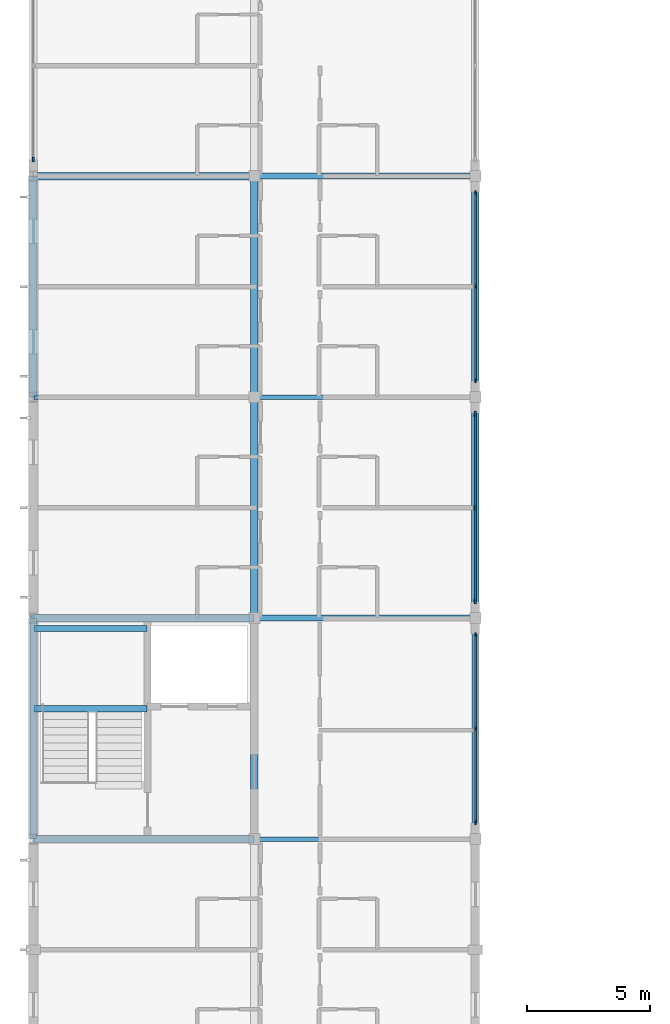
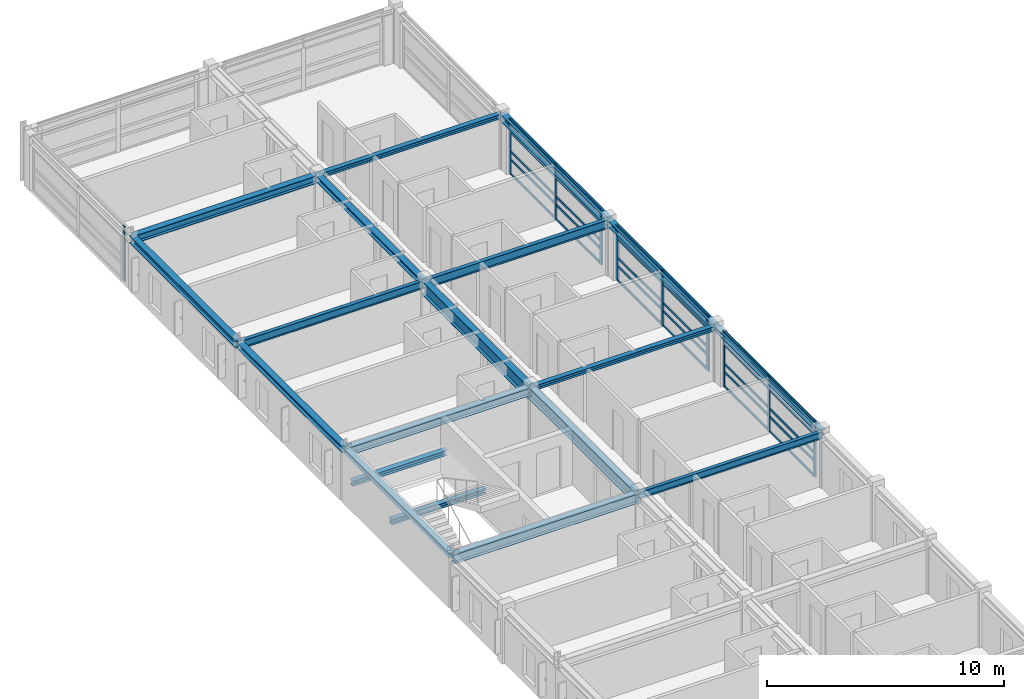
# One storey, part 6 of 24: 40 members, 19 beams, 4 elements without a shape of their own.
"""IFC4 building model written with IfcOpenShell, lengths in metres."""

from ifc_helpers import new_model, si_unit, direction, frame, origin, origin_2d, place, context, subcontext, project, spatial, rectangle, i_section, extrude, material, material_profile, profile_set, type_object, element, aggregate, save


model = new_model("IFC4")

# Units and contexts
model_context = context("Model", 3, precision=1e-05, world=origin(), true_north=direction((0.0, 1.0)))
body_context = subcontext(model_context, "Body", "Model", "MODEL_VIEW")
ifc_project = project(units=[si_unit("LENGTHUNIT", "METRE"), si_unit("AREAUNIT", "SQUARE_METRE"), si_unit("VOLUMEUNIT", "CUBIC_METRE"), si_unit("PLANEANGLEUNIT", "RADIAN"), si_unit("MASSUNIT", "GRAM", prefix="KILO")], contexts=[model_context])

# Site, building, storey
site_placement = place(None, origin())
site = spatial("IfcSite", under=ifc_project, at=site_placement, CompositionType="ELEMENT")
building_placement = place(site_placement, origin())
building = spatial("IfcBuilding", under=site, at=building_placement, Name="Palais des Congres Ocreval", CompositionType="ELEMENT")
storey_placement = place(building_placement, frame((0.0, 0.0, 17.60009765625)))
storey = spatial("IfcBuildingStorey", under=building, at=storey_placement, Name="L05", CompositionType="ELEMENT", Elevation=17.60009765625)

# Beams
ifc_material_1 = material(Name="Steel S355", Category="steel")
ifc_material_profile_1 = material_profile(ifc_material_1, i_section(OverallWidth=0.169921875, OverallDepth=0.360107421875, WebThickness=0.008056640625, FlangeThickness=0.0126953125, at=origin_2d()), Name="IPE 360")
ifc_profile_set_1 = profile_set([ifc_material_profile_1], Name="Steel S355")
beam_type_1 = type_object("IfcBeamType", Name="Composite Beam IPE 360 Steel S355", PredefinedType="BEAM", material=ifc_profile_set_1)
beam_1_placement = place(storey_placement, frame((9.02001953125, 36.0, 2.599853515625), z_axis=(1.0, 0.0, 0.0), x_axis=(0.0, 1.0, 0.0)))
element("IfcBeam", 1, at=beam_1_placement, inside=storey, type_object=beam_type_1, Name="Beam B01 L05", PredefinedType="BEAM", context=body_context, shape_type="SweptSolid", body=[
    extrude(i_section(OverallWidth=0.169921875, OverallDepth=0.360107421875, WebThickness=0.008056640625, FlangeThickness=0.0126953125, at=origin_2d()), origin(), (0.0, 0.0, 1.0), 8.9599609375),
])
ifc_material_profile_2 = material_profile(ifc_material_1, i_section(OverallWidth=0.179931640625, OverallDepth=0.39990234375, WebThickness=0.008544921875, FlangeThickness=0.013427734375, at=origin_2d()), Name="IPE 400")
ifc_profile_set_2 = profile_set([ifc_material_profile_2], Name="Steel S355")
beam_type_2 = type_object("IfcBeamType", Name="Composite Beam IPE 400 Steel S355", PredefinedType="BEAM", material=ifc_profile_set_2)
beam_2_placement = place(storey_placement, frame((0.02001953125, 54.0, 2.579833984375), z_axis=(1.0, 0.0, 0.0), x_axis=(0.0, 1.0, 0.0)))
element("IfcBeam", 2, at=beam_2_placement, inside=storey, type_object=beam_type_2, Name="Beam B02 L05", PredefinedType="BEAM", context=body_context, shape_type="SweptSolid", body=[
    extrude(i_section(OverallWidth=0.179931640625, OverallDepth=0.39990234375, WebThickness=0.008544921875, FlangeThickness=0.013427734375, at=origin_2d()), origin(), (0.0, 0.0, 1.0), 8.9599609375),
])
ifc_material_profile_3 = material_profile(ifc_material_1, i_section(OverallWidth=0.18994140625, OverallDepth=0.449951171875, WebThickness=0.009521484375, FlangeThickness=0.0146484375, at=origin_2d()), Name="IPE 450")
ifc_profile_set_3 = profile_set([ifc_material_profile_3], Name="Steel S355")
beam_type_3 = type_object("IfcBeamType", Name="Composite Beam IPE 450 Steel S355", PredefinedType="BEAM", material=ifc_profile_set_3)
beam_3_placement = place(storey_placement, frame((9.02001953125, 54.0, 2.554931640625), z_axis=(1.0, 0.0, 0.0), x_axis=(0.0, 1.0, 0.0)))
element("IfcBeam", 3, at=beam_3_placement, inside=storey, type_object=beam_type_3, Name="Beam B03 L05", PredefinedType="BEAM", context=body_context, shape_type="SweptSolid", body=[
    extrude(i_section(OverallWidth=0.18994140625, OverallDepth=0.449951171875, WebThickness=0.009521484375, FlangeThickness=0.0146484375, at=origin_2d()), origin(), (0.0, 0.0, 1.0), 8.9599609375),
])

# Curtain wall, member
ifc_material_2 = material(Name="Anodized bronze aluminium and low-E glass", Category="glass")
curtain_wall_type = type_object("IfcCurtainWallType", Name="Unitised Curtain Wall 7900x2820", PredefinedType="USERDEFINED", material=ifc_material_2)
curtain_wall_1_placement = place(storey_placement, origin())
curtain_wall_1 = element("IfcCurtainWall", 4, at=curtain_wall_1_placement, inside=storey, type_object=curtain_wall_type, Name="Unitised Curtain Wall CW04 L05", ObjectType="UNITISED CURTAIN WALL", PredefinedType="USERDEFINED")
ifc_material_3 = material(Name="Anodized bronze aluminium", Category="aluminium")
ifc_material_profile_4 = material_profile(ifc_material_3, rectangle(XDim=0.06494140625, YDim=0.179931640625, at=origin_2d()), Name="ALU 65x180")
ifc_profile_set_4 = profile_set([ifc_material_profile_4], Name="Anodized bronze aluminium")
member_type_1 = type_object("IfcMemberType", Name="Curtain Wall Mullion ALU 65x180", PredefinedType="MULLION", material=ifc_profile_set_4)
member_1_placement = place(storey_placement, frame((0.0, 63.6826171875, 0.0), z_axis=(0.0, 0.0, 1.0), x_axis=(-1.0, 0.0, 0.0)))
member_1 = element("IfcMember", 5, at=member_1_placement, type_object=member_type_1, Name="Curtain Wall Mullion ML03", PredefinedType="MULLION", context=body_context, shape_type="SweptSolid", body=[
    extrude(rectangle(XDim=0.06494140625, YDim=0.179931640625, at=origin_2d()), origin(), (0.0, 0.0, 1.0), 2.81982421875),
])
aggregate(curtain_wall_1, [member_1])

# Curtain wall, members
curtain_wall_2_placement = place(storey_placement, origin())
curtain_wall_2 = element("IfcCurtainWall", 6, at=curtain_wall_2_placement, inside=storey, type_object=curtain_wall_type, Name="Unitised Curtain Wall CW04 L05", ObjectType="UNITISED CURTAIN WALL", PredefinedType="USERDEFINED")
member_2_placement = place(storey_placement, frame((18.0, 62.3173828125, 0.0), z_axis=(0.0, 0.0, 1.0), x_axis=(1.0, 0.0, 0.0)))
member_2 = element("IfcMember", 7, at=member_2_placement, type_object=member_type_1, Name="Curtain Wall Mullion ML03", PredefinedType="MULLION", context=body_context, shape_type="SweptSolid", body=[
    extrude(rectangle(XDim=0.06494140625, YDim=0.179931640625, at=origin_2d()), origin(), (0.0, 0.0, 1.0), 2.81982421875),
])
member_3_placement = place(storey_placement, frame((18.0, 58.5, 0.0), z_axis=(0.0, 0.0, 1.0), x_axis=(1.0, 0.0, 0.0)))
member_3 = element("IfcMember", 8, at=member_3_placement, type_object=member_type_1, Name="Curtain Wall Mullion ML03", PredefinedType="MULLION", context=body_context, shape_type="SweptSolid", body=[
    extrude(rectangle(XDim=0.06494140625, YDim=0.179931640625, at=origin_2d()), origin(), (0.0, 0.0, 1.0), 2.81982421875),
])
member_4_placement = place(storey_placement, frame((18.0, 54.6826171875, 0.0), z_axis=(0.0, 0.0, 1.0), x_axis=(1.0, 0.0, 0.0)))
member_4 = element("IfcMember", 9, at=member_4_placement, type_object=member_type_1, Name="Curtain Wall Mullion ML03", PredefinedType="MULLION", context=body_context, shape_type="SweptSolid", body=[
    extrude(rectangle(XDim=0.06494140625, YDim=0.179931640625, at=origin_2d()), origin(), (0.0, 0.0, 1.0), 2.81982421875),
])

curtain_wall_3_placement = place(storey_placement, origin())
curtain_wall_3 = element("IfcCurtainWall", 10, at=curtain_wall_3_placement, inside=storey, type_object=curtain_wall_type, Name="Unitised Curtain Wall CW04 L05", ObjectType="UNITISED CURTAIN WALL", PredefinedType="USERDEFINED")
member_5_placement = place(storey_placement, frame((18.0, 44.3173828125, 0.0), z_axis=(0.0, 0.0, 1.0), x_axis=(1.0, 0.0, 0.0)))
member_5 = element("IfcMember", 11, at=member_5_placement, type_object=member_type_1, Name="Curtain Wall Mullion ML03", PredefinedType="MULLION", context=body_context, shape_type="SweptSolid", body=[
    extrude(rectangle(XDim=0.06494140625, YDim=0.179931640625, at=origin_2d()), origin(), (0.0, 0.0, 1.0), 2.81982421875),
])
member_6_placement = place(storey_placement, frame((18.0, 40.5, 0.0), z_axis=(0.0, 0.0, 1.0), x_axis=(1.0, 0.0, 0.0)))
member_6 = element("IfcMember", 12, at=member_6_placement, type_object=member_type_1, Name="Curtain Wall Mullion ML03", PredefinedType="MULLION", context=body_context, shape_type="SweptSolid", body=[
    extrude(rectangle(XDim=0.06494140625, YDim=0.179931640625, at=origin_2d()), origin(), (0.0, 0.0, 1.0), 2.81982421875),
])
member_7_placement = place(storey_placement, frame((18.0, 36.6826171875, 0.0), z_axis=(0.0, 0.0, 1.0), x_axis=(1.0, 0.0, 0.0)))
member_7 = element("IfcMember", 13, at=member_7_placement, type_object=member_type_1, Name="Curtain Wall Mullion ML03", PredefinedType="MULLION", context=body_context, shape_type="SweptSolid", body=[
    extrude(rectangle(XDim=0.06494140625, YDim=0.179931640625, at=origin_2d()), origin(), (0.0, 0.0, 1.0), 2.81982421875),
])

curtain_wall_4_placement = place(storey_placement, origin())
curtain_wall_4 = element("IfcCurtainWall", 14, at=curtain_wall_4_placement, inside=storey, type_object=curtain_wall_type, Name="Unitised Curtain Wall CW04 L05", ObjectType="UNITISED CURTAIN WALL", PredefinedType="USERDEFINED")
ifc_material_profile_5 = material_profile(ifc_material_3, rectangle(XDim=0.070068359375, YDim=0.2099609375, at=origin_2d()), Name="ALU 70x210")
ifc_profile_set_5 = profile_set([ifc_material_profile_5], Name="Anodized bronze aluminium")
member_type_2 = type_object("IfcMemberType", Name="Curtain Wall Mullion ALU 70x210", PredefinedType="MULLION", material=ifc_profile_set_5)
member_8_placement = place(storey_placement, frame((18.0, 53.31494140625, 0.0), z_axis=(0.0, 0.0, 1.0), x_axis=(1.0, 0.0, 0.0)))
member_8 = element("IfcMember", 15, at=member_8_placement, type_object=member_type_2, Name="Curtain Wall Mullion ML02", PredefinedType="MULLION", context=body_context, shape_type="SweptSolid", body=[
    extrude(rectangle(XDim=0.070068359375, YDim=0.2099609375, at=origin_2d()), origin(), (0.0, 0.0, 1.0), 2.81982421875),
])
member_9_placement = place(storey_placement, frame((18.0, 49.5, 0.0), z_axis=(0.0, 0.0, 1.0), x_axis=(1.0, 0.0, 0.0)))
member_9 = element("IfcMember", 16, at=member_9_placement, type_object=member_type_2, Name="Curtain Wall Mullion ML02", PredefinedType="MULLION", context=body_context, shape_type="SweptSolid", body=[
    extrude(rectangle(XDim=0.070068359375, YDim=0.2099609375, at=origin_2d()), origin(), (0.0, 0.0, 1.0), 2.81982421875),
])
member_10_placement = place(storey_placement, frame((18.0, 45.68505859375, 0.0), z_axis=(0.0, 0.0, 1.0), x_axis=(1.0, 0.0, 0.0)))
member_10 = element("IfcMember", 17, at=member_10_placement, type_object=member_type_2, Name="Curtain Wall Mullion ML02", PredefinedType="MULLION", context=body_context, shape_type="SweptSolid", body=[
    extrude(rectangle(XDim=0.070068359375, YDim=0.2099609375, at=origin_2d()), origin(), (0.0, 0.0, 1.0), 2.81982421875),
])

# Member
ifc_material_profile_6 = material_profile(ifc_material_3, rectangle(XDim=0.06005859375, YDim=0.1201171875, at=origin_2d()), Name="ALU 60x120")
ifc_profile_set_6 = profile_set([ifc_material_profile_6], Name="Anodized bronze aluminium")
member_type_3 = type_object("IfcMemberType", Name="Curtain Wall Transom ALU 60x120", PredefinedType="USERDEFINED", material=ifc_profile_set_6)
member_11_placement = place(storey_placement, frame((18.0, 62.284912109375, 0.02978515625), z_axis=(0.0, -1.0, 0.0), x_axis=(1.0, 0.0, 0.0)))
member_11 = element("IfcMember", 18, at=member_11_placement, type_object=member_type_3, Name="Curtain Wall Transom TR02", ObjectType="TRANSOM", PredefinedType="USERDEFINED", context=body_context, shape_type="SweptSolid", body=[
    extrude(rectangle(XDim=0.06005859375, YDim=0.1201171875, at=origin_2d()), origin(), (0.0, 0.0, 1.0), 3.75244140625),
])

member_12_placement = place(storey_placement, frame((18.0, 62.284912109375, 0.77978515625), z_axis=(0.0, -1.0, 0.0), x_axis=(1.0, 0.0, 0.0)))
member_12 = element("IfcMember", 19, at=member_12_placement, type_object=member_type_3, Name="Curtain Wall Transom TR02", ObjectType="TRANSOM", PredefinedType="USERDEFINED", context=body_context, shape_type="SweptSolid", body=[
    extrude(rectangle(XDim=0.06005859375, YDim=0.1201171875, at=origin_2d()), origin(), (0.0, 0.0, 1.0), 3.75244140625),
])

member_13_placement = place(storey_placement, frame((18.0, 62.284912109375, 1.193359375), z_axis=(0.0, -1.0, 0.0), x_axis=(1.0, 0.0, 0.0)))
member_13 = element("IfcMember", 20, at=member_13_placement, type_object=member_type_3, Name="Curtain Wall Transom TR02", ObjectType="TRANSOM", PredefinedType="USERDEFINED", context=body_context, shape_type="SweptSolid", body=[
    extrude(rectangle(XDim=0.06005859375, YDim=0.1201171875, at=origin_2d()), origin(), (0.0, 0.0, 1.0), 3.75244140625),
])

member_14_placement = place(storey_placement, frame((18.0, 62.284912109375, 2.169921875), z_axis=(0.0, -1.0, 0.0), x_axis=(1.0, 0.0, 0.0)))
member_14 = element("IfcMember", 21, at=member_14_placement, type_object=member_type_3, Name="Curtain Wall Transom TR02", ObjectType="TRANSOM", PredefinedType="USERDEFINED", context=body_context, shape_type="SweptSolid", body=[
    extrude(rectangle(XDim=0.06005859375, YDim=0.1201171875, at=origin_2d()), origin(), (0.0, 0.0, 1.0), 3.75244140625),
])

member_15_placement = place(storey_placement, frame((18.0, 62.284912109375, 2.789794921875), z_axis=(0.0, -1.0, 0.0), x_axis=(1.0, 0.0, 0.0)))
member_15 = element("IfcMember", 22, at=member_15_placement, type_object=member_type_3, Name="Curtain Wall Transom TR02", ObjectType="TRANSOM", PredefinedType="USERDEFINED", context=body_context, shape_type="SweptSolid", body=[
    extrude(rectangle(XDim=0.06005859375, YDim=0.1201171875, at=origin_2d()), origin(), (0.0, 0.0, 1.0), 3.75244140625),
])

member_16_placement = place(storey_placement, frame((18.0, 58.467529296875, 0.02978515625), z_axis=(0.0, -1.0, 0.0), x_axis=(1.0, 0.0, 0.0)))
member_16 = element("IfcMember", 23, at=member_16_placement, type_object=member_type_3, Name="Curtain Wall Transom TR02", ObjectType="TRANSOM", PredefinedType="USERDEFINED", context=body_context, shape_type="SweptSolid", body=[
    extrude(rectangle(XDim=0.06005859375, YDim=0.1201171875, at=origin_2d()), origin(), (0.0, 0.0, 1.0), 3.75244140625),
])

member_17_placement = place(storey_placement, frame((18.0, 58.467529296875, 0.77978515625), z_axis=(0.0, -1.0, 0.0), x_axis=(1.0, 0.0, 0.0)))
member_17 = element("IfcMember", 24, at=member_17_placement, type_object=member_type_3, Name="Curtain Wall Transom TR02", ObjectType="TRANSOM", PredefinedType="USERDEFINED", context=body_context, shape_type="SweptSolid", body=[
    extrude(rectangle(XDim=0.06005859375, YDim=0.1201171875, at=origin_2d()), origin(), (0.0, 0.0, 1.0), 3.75244140625),
])

member_18_placement = place(storey_placement, frame((18.0, 58.467529296875, 1.193359375), z_axis=(0.0, -1.0, 0.0), x_axis=(1.0, 0.0, 0.0)))
member_18 = element("IfcMember", 25, at=member_18_placement, type_object=member_type_3, Name="Curtain Wall Transom TR02", ObjectType="TRANSOM", PredefinedType="USERDEFINED", context=body_context, shape_type="SweptSolid", body=[
    extrude(rectangle(XDim=0.06005859375, YDim=0.1201171875, at=origin_2d()), origin(), (0.0, 0.0, 1.0), 3.75244140625),
])

member_19_placement = place(storey_placement, frame((18.0, 58.467529296875, 2.169921875), z_axis=(0.0, -1.0, 0.0), x_axis=(1.0, 0.0, 0.0)))
member_19 = element("IfcMember", 26, at=member_19_placement, type_object=member_type_3, Name="Curtain Wall Transom TR02", ObjectType="TRANSOM", PredefinedType="USERDEFINED", context=body_context, shape_type="SweptSolid", body=[
    extrude(rectangle(XDim=0.06005859375, YDim=0.1201171875, at=origin_2d()), origin(), (0.0, 0.0, 1.0), 3.75244140625),
])

member_20_placement = place(storey_placement, frame((18.0, 58.467529296875, 2.789794921875), z_axis=(0.0, -1.0, 0.0), x_axis=(1.0, 0.0, 0.0)))
member_20 = element("IfcMember", 27, at=member_20_placement, type_object=member_type_3, Name="Curtain Wall Transom TR02", ObjectType="TRANSOM", PredefinedType="USERDEFINED", context=body_context, shape_type="SweptSolid", body=[
    extrude(rectangle(XDim=0.06005859375, YDim=0.1201171875, at=origin_2d()), origin(), (0.0, 0.0, 1.0), 3.75244140625),
])

aggregate(curtain_wall_2, [member_2, member_3, member_4, member_11, member_12, member_13, member_14, member_15, member_16, member_17, member_18, member_19, member_20])

member_21_placement = place(storey_placement, frame((18.0, 53.280029296875, 0.02978515625), z_axis=(0.0, -1.0, 0.0), x_axis=(1.0, 0.0, 0.0)))
member_21 = element("IfcMember", 28, at=member_21_placement, type_object=member_type_3, Name="Curtain Wall Transom TR02", ObjectType="TRANSOM", PredefinedType="USERDEFINED", context=body_context, shape_type="SweptSolid", body=[
    extrude(rectangle(XDim=0.06005859375, YDim=0.1201171875, at=origin_2d()), origin(), (0.0, 0.0, 1.0), 3.7451171875),
])

member_22_placement = place(storey_placement, frame((18.0, 53.280029296875, 0.77978515625), z_axis=(0.0, -1.0, 0.0), x_axis=(1.0, 0.0, 0.0)))
member_22 = element("IfcMember", 29, at=member_22_placement, type_object=member_type_3, Name="Curtain Wall Transom TR02", ObjectType="TRANSOM", PredefinedType="USERDEFINED", context=body_context, shape_type="SweptSolid", body=[
    extrude(rectangle(XDim=0.06005859375, YDim=0.1201171875, at=origin_2d()), origin(), (0.0, 0.0, 1.0), 3.7451171875),
])

member_23_placement = place(storey_placement, frame((18.0, 53.280029296875, 1.193359375), z_axis=(0.0, -1.0, 0.0), x_axis=(1.0, 0.0, 0.0)))
member_23 = element("IfcMember", 30, at=member_23_placement, type_object=member_type_3, Name="Curtain Wall Transom TR02", ObjectType="TRANSOM", PredefinedType="USERDEFINED", context=body_context, shape_type="SweptSolid", body=[
    extrude(rectangle(XDim=0.06005859375, YDim=0.1201171875, at=origin_2d()), origin(), (0.0, 0.0, 1.0), 3.7451171875),
])

member_24_placement = place(storey_placement, frame((18.0, 53.280029296875, 2.169921875), z_axis=(0.0, -1.0, 0.0), x_axis=(1.0, 0.0, 0.0)))
member_24 = element("IfcMember", 31, at=member_24_placement, type_object=member_type_3, Name="Curtain Wall Transom TR02", ObjectType="TRANSOM", PredefinedType="USERDEFINED", context=body_context, shape_type="SweptSolid", body=[
    extrude(rectangle(XDim=0.06005859375, YDim=0.1201171875, at=origin_2d()), origin(), (0.0, 0.0, 1.0), 3.7451171875),
])

member_25_placement = place(storey_placement, frame((18.0, 53.280029296875, 2.789794921875), z_axis=(0.0, -1.0, 0.0), x_axis=(1.0, 0.0, 0.0)))
member_25 = element("IfcMember", 32, at=member_25_placement, type_object=member_type_3, Name="Curtain Wall Transom TR02", ObjectType="TRANSOM", PredefinedType="USERDEFINED", context=body_context, shape_type="SweptSolid", body=[
    extrude(rectangle(XDim=0.06005859375, YDim=0.1201171875, at=origin_2d()), origin(), (0.0, 0.0, 1.0), 3.7451171875),
])

member_26_placement = place(storey_placement, frame((18.0, 49.465087890625, 0.02978515625), z_axis=(0.0, -1.0, 0.0), x_axis=(1.0, 0.0, 0.0)))
member_26 = element("IfcMember", 33, at=member_26_placement, type_object=member_type_3, Name="Curtain Wall Transom TR02", ObjectType="TRANSOM", PredefinedType="USERDEFINED", context=body_context, shape_type="SweptSolid", body=[
    extrude(rectangle(XDim=0.06005859375, YDim=0.1201171875, at=origin_2d()), origin(), (0.0, 0.0, 1.0), 3.7451171875),
])

member_27_placement = place(storey_placement, frame((18.0, 49.465087890625, 0.77978515625), z_axis=(0.0, -1.0, 0.0), x_axis=(1.0, 0.0, 0.0)))
member_27 = element("IfcMember", 34, at=member_27_placement, type_object=member_type_3, Name="Curtain Wall Transom TR02", ObjectType="TRANSOM", PredefinedType="USERDEFINED", context=body_context, shape_type="SweptSolid", body=[
    extrude(rectangle(XDim=0.06005859375, YDim=0.1201171875, at=origin_2d()), origin(), (0.0, 0.0, 1.0), 3.7451171875),
])

member_28_placement = place(storey_placement, frame((18.0, 49.465087890625, 1.193359375), z_axis=(0.0, -1.0, 0.0), x_axis=(1.0, 0.0, 0.0)))
member_28 = element("IfcMember", 35, at=member_28_placement, type_object=member_type_3, Name="Curtain Wall Transom TR02", ObjectType="TRANSOM", PredefinedType="USERDEFINED", context=body_context, shape_type="SweptSolid", body=[
    extrude(rectangle(XDim=0.06005859375, YDim=0.1201171875, at=origin_2d()), origin(), (0.0, 0.0, 1.0), 3.7451171875),
])

member_29_placement = place(storey_placement, frame((18.0, 49.465087890625, 2.169921875), z_axis=(0.0, -1.0, 0.0), x_axis=(1.0, 0.0, 0.0)))
member_29 = element("IfcMember", 36, at=member_29_placement, type_object=member_type_3, Name="Curtain Wall Transom TR02", ObjectType="TRANSOM", PredefinedType="USERDEFINED", context=body_context, shape_type="SweptSolid", body=[
    extrude(rectangle(XDim=0.06005859375, YDim=0.1201171875, at=origin_2d()), origin(), (0.0, 0.0, 1.0), 3.7451171875),
])

member_30_placement = place(storey_placement, frame((18.0, 49.465087890625, 2.789794921875), z_axis=(0.0, -1.0, 0.0), x_axis=(1.0, 0.0, 0.0)))
member_30 = element("IfcMember", 37, at=member_30_placement, type_object=member_type_3, Name="Curtain Wall Transom TR02", ObjectType="TRANSOM", PredefinedType="USERDEFINED", context=body_context, shape_type="SweptSolid", body=[
    extrude(rectangle(XDim=0.06005859375, YDim=0.1201171875, at=origin_2d()), origin(), (0.0, 0.0, 1.0), 3.7451171875),
])

aggregate(curtain_wall_4, [member_8, member_9, member_10, member_21, member_22, member_23, member_24, member_25, member_26, member_27, member_28, member_29, member_30])

member_31_placement = place(storey_placement, frame((18.0, 44.284912109375, 0.02978515625), z_axis=(0.0, -1.0, 0.0), x_axis=(1.0, 0.0, 0.0)))
member_31 = element("IfcMember", 38, at=member_31_placement, type_object=member_type_3, Name="Curtain Wall Transom TR02", ObjectType="TRANSOM", PredefinedType="USERDEFINED", context=body_context, shape_type="SweptSolid", body=[
    extrude(rectangle(XDim=0.06005859375, YDim=0.1201171875, at=origin_2d()), origin(), (0.0, 0.0, 1.0), 3.75244140625),
])

member_32_placement = place(storey_placement, frame((18.0, 44.284912109375, 0.77978515625), z_axis=(0.0, -1.0, 0.0), x_axis=(1.0, 0.0, 0.0)))
member_32 = element("IfcMember", 39, at=member_32_placement, type_object=member_type_3, Name="Curtain Wall Transom TR02", ObjectType="TRANSOM", PredefinedType="USERDEFINED", context=body_context, shape_type="SweptSolid", body=[
    extrude(rectangle(XDim=0.06005859375, YDim=0.1201171875, at=origin_2d()), origin(), (0.0, 0.0, 1.0), 3.75244140625),
])

member_33_placement = place(storey_placement, frame((18.0, 44.284912109375, 1.193359375), z_axis=(0.0, -1.0, 0.0), x_axis=(1.0, 0.0, 0.0)))
member_33 = element("IfcMember", 40, at=member_33_placement, type_object=member_type_3, Name="Curtain Wall Transom TR02", ObjectType="TRANSOM", PredefinedType="USERDEFINED", context=body_context, shape_type="SweptSolid", body=[
    extrude(rectangle(XDim=0.06005859375, YDim=0.1201171875, at=origin_2d()), origin(), (0.0, 0.0, 1.0), 3.75244140625),
])

member_34_placement = place(storey_placement, frame((18.0, 44.284912109375, 2.169921875), z_axis=(0.0, -1.0, 0.0), x_axis=(1.0, 0.0, 0.0)))
member_34 = element("IfcMember", 41, at=member_34_placement, type_object=member_type_3, Name="Curtain Wall Transom TR02", ObjectType="TRANSOM", PredefinedType="USERDEFINED", context=body_context, shape_type="SweptSolid", body=[
    extrude(rectangle(XDim=0.06005859375, YDim=0.1201171875, at=origin_2d()), origin(), (0.0, 0.0, 1.0), 3.75244140625),
])

member_35_placement = place(storey_placement, frame((18.0, 44.284912109375, 2.789794921875), z_axis=(0.0, -1.0, 0.0), x_axis=(1.0, 0.0, 0.0)))
member_35 = element("IfcMember", 42, at=member_35_placement, type_object=member_type_3, Name="Curtain Wall Transom TR02", ObjectType="TRANSOM", PredefinedType="USERDEFINED", context=body_context, shape_type="SweptSolid", body=[
    extrude(rectangle(XDim=0.06005859375, YDim=0.1201171875, at=origin_2d()), origin(), (0.0, 0.0, 1.0), 3.75244140625),
])

member_36_placement = place(storey_placement, frame((18.0, 40.467529296875, 0.02978515625), z_axis=(0.0, -1.0, 0.0), x_axis=(1.0, 0.0, 0.0)))
member_36 = element("IfcMember", 43, at=member_36_placement, type_object=member_type_3, Name="Curtain Wall Transom TR02", ObjectType="TRANSOM", PredefinedType="USERDEFINED", context=body_context, shape_type="SweptSolid", body=[
    extrude(rectangle(XDim=0.06005859375, YDim=0.1201171875, at=origin_2d()), origin(), (0.0, 0.0, 1.0), 3.75244140625),
])

member_37_placement = place(storey_placement, frame((18.0, 40.467529296875, 0.77978515625), z_axis=(0.0, -1.0, 0.0), x_axis=(1.0, 0.0, 0.0)))
member_37 = element("IfcMember", 44, at=member_37_placement, type_object=member_type_3, Name="Curtain Wall Transom TR02", ObjectType="TRANSOM", PredefinedType="USERDEFINED", context=body_context, shape_type="SweptSolid", body=[
    extrude(rectangle(XDim=0.06005859375, YDim=0.1201171875, at=origin_2d()), origin(), (0.0, 0.0, 1.0), 3.75244140625),
])

member_38_placement = place(storey_placement, frame((18.0, 40.467529296875, 1.193359375), z_axis=(0.0, -1.0, 0.0), x_axis=(1.0, 0.0, 0.0)))
member_38 = element("IfcMember", 45, at=member_38_placement, type_object=member_type_3, Name="Curtain Wall Transom TR02", ObjectType="TRANSOM", PredefinedType="USERDEFINED", context=body_context, shape_type="SweptSolid", body=[
    extrude(rectangle(XDim=0.06005859375, YDim=0.1201171875, at=origin_2d()), origin(), (0.0, 0.0, 1.0), 3.75244140625),
])

member_39_placement = place(storey_placement, frame((18.0, 40.467529296875, 2.169921875), z_axis=(0.0, -1.0, 0.0), x_axis=(1.0, 0.0, 0.0)))
member_39 = element("IfcMember", 46, at=member_39_placement, type_object=member_type_3, Name="Curtain Wall Transom TR02", ObjectType="TRANSOM", PredefinedType="USERDEFINED", context=body_context, shape_type="SweptSolid", body=[
    extrude(rectangle(XDim=0.06005859375, YDim=0.1201171875, at=origin_2d()), origin(), (0.0, 0.0, 1.0), 3.75244140625),
])

member_40_placement = place(storey_placement, frame((18.0, 40.467529296875, 2.789794921875), z_axis=(0.0, -1.0, 0.0), x_axis=(1.0, 0.0, 0.0)))
member_40 = element("IfcMember", 47, at=member_40_placement, type_object=member_type_3, Name="Curtain Wall Transom TR02", ObjectType="TRANSOM", PredefinedType="USERDEFINED", context=body_context, shape_type="SweptSolid", body=[
    extrude(rectangle(XDim=0.06005859375, YDim=0.1201171875, at=origin_2d()), origin(), (0.0, 0.0, 1.0), 3.75244140625),
])

aggregate(curtain_wall_3, [member_5, member_6, member_7, member_31, member_32, member_33, member_34, member_35, member_36, member_37, member_38, member_39, member_40])

# Beams
ifc_material_profile_7 = material_profile(ifc_material_1, i_section(OverallWidth=0.260009765625, OverallDepth=0.260009765625, WebThickness=0.010009765625, FlangeThickness=0.017578125, at=origin_2d()), Name="HEB 260")
ifc_profile_set_7 = profile_set([ifc_material_profile_7], Name="Steel S355")
beam_type_4 = type_object("IfcBeamType", Name="Opening Lintel HEB 260 Steel S355", PredefinedType="LINTEL", material=ifc_profile_set_7)
for number, where, z_axis, x_axis, name in (
    (48, (0.0, 36.02001953125, 2.64990234375), (0.0, 1.0, 0.0), (-1.0, 0.0, 0.0), "Girder LN01 L05"),
    (49, (18.0, 36.02001953125, 2.64990234375), (0.0, 1.0, 0.0), (-1.0, 0.0, 0.0), "Girder LN01 L05"),
):
    element("IfcBeam", number, at=place(storey_placement, frame(where, z_axis=z_axis, x_axis=x_axis)), inside=storey, type_object=beam_type_4, Name=name, PredefinedType="LINTEL", context=body_context, shape_type="SweptSolid", body=[
        extrude(i_section(OverallWidth=0.260009765625, OverallDepth=0.260009765625, WebThickness=0.010009765625, FlangeThickness=0.017578125, at=origin_2d()), origin(), (0.0, 0.0, 1.0), 8.9599609375),
    ])
for number, where, z_axis, x_axis, name in (
    (50, (0.02001953125, 41.304931640625, 1.18994140625), (1.0, 0.0, 0.0), (0.0, 1.0, 0.0), "Stair Landing Support Beam ST03 L05-1"),
    (51, (0.02001953125, 44.580078125, 1.18994140625), (1.0, 0.0, 0.0), (0.0, 1.0, 0.0), "Stair Landing Support Beam ST03 L05-2"),
):
    element("IfcBeam", number, at=place(storey_placement, frame(where, z_axis=z_axis, x_axis=x_axis)), inside=storey, type_object=beam_type_4, Name=name, PredefinedType="LINTEL", context=body_context, shape_type="SweptSolid", body=[
        extrude(i_section(OverallWidth=0.260009765625, OverallDepth=0.260009765625, WebThickness=0.010009765625, FlangeThickness=0.017578125, at=origin_2d()), origin(), (0.0, 0.0, 1.0), 4.60986328125),
    ])
ifc_material_profile_8 = material_profile(ifc_material_1, i_section(OverallWidth=0.239990234375, OverallDepth=0.22998046875, WebThickness=0.007568359375, FlangeThickness=0.011962890625, at=origin_2d()), Name="HEA 240")
ifc_profile_set_8 = profile_set([ifc_material_profile_8], Name="Steel S355")
beam_type_5 = type_object("IfcBeamType", Name="Perimeter Spandrel HEA 240 Steel S355", PredefinedType="SPANDREL", material=ifc_profile_set_8)
for number, where, z_axis, x_axis, name in (
    (52, (9.02001953125, 45.0, 2.664794921875), (1.0, 0.0, 0.0), (0.0, 1.0, 0.0), "Beam SP01 L05"),
    (53, (9.02001953125, 63.0, 2.664794921875), (1.0, 0.0, 0.0), (0.0, 1.0, 0.0), "Beam SP01 L05"),
):
    element("IfcBeam", number, at=place(storey_placement, frame(where, z_axis=z_axis, x_axis=x_axis)), inside=storey, type_object=beam_type_5, Name=name, PredefinedType="SPANDREL", context=body_context, shape_type="SweptSolid", body=[
        extrude(i_section(OverallWidth=0.239990234375, OverallDepth=0.22998046875, WebThickness=0.007568359375, FlangeThickness=0.011962890625, at=origin_2d()), origin(), (0.0, 0.0, 1.0), 8.9599609375),
    ])
ifc_material_profile_9 = material_profile(ifc_material_1, i_section(OverallWidth=0.300048828125, OverallDepth=0.300048828125, WebThickness=0.010986328125, FlangeThickness=0.01904296875, at=origin_2d()), Name="HEB 300")
ifc_profile_set_9 = profile_set([ifc_material_profile_9], Name="Steel S355")
beam_type_6 = type_object("IfcBeamType", Name="Perimeter Spandrel HEB 300 Steel S355", PredefinedType="SPANDREL", material=ifc_profile_set_9)
for number, where, z_axis, x_axis, name in (
    (54, (0.0, 45.02001953125, 2.6298828125), (0.0, 1.0, 0.0), (-1.0, 0.0, 0.0), "Girder SP02 L05"),
    (55, (18.0, 45.02001953125, 2.6298828125), (0.0, 1.0, 0.0), (-1.0, 0.0, 0.0), "Girder SP02 L05"),
):
    element("IfcBeam", number, at=place(storey_placement, frame(where, z_axis=z_axis, x_axis=x_axis)), inside=storey, type_object=beam_type_6, Name=name, PredefinedType="SPANDREL", context=body_context, shape_type="SweptSolid", body=[
        extrude(i_section(OverallWidth=0.300048828125, OverallDepth=0.300048828125, WebThickness=0.010986328125, FlangeThickness=0.01904296875, at=origin_2d()), origin(), (0.0, 0.0, 1.0), 8.9599609375),
    ])
ifc_material_profile_10 = material_profile(ifc_material_1, i_section(OverallWidth=0.300048828125, OverallDepth=0.360107421875, WebThickness=0.012451171875, FlangeThickness=0.0224609375, at=origin_2d()), Name="HEB 360")
ifc_profile_set_10 = profile_set([ifc_material_profile_10], Name="Steel S355")
beam_type_7 = type_object("IfcBeamType", Name="Perimeter Spandrel HEB 360 Steel S355", PredefinedType="SPANDREL", material=ifc_profile_set_10)
for number, where, z_axis, x_axis, name in (
    (56, (0.0, 54.02001953125, 2.599853515625), (0.0, 1.0, 0.0), (-1.0, 0.0, 0.0), "Girder SP03 L05"),
    (57, (18.0, 54.02001953125, 2.599853515625), (0.0, 1.0, 0.0), (-1.0, 0.0, 0.0), "Girder SP03 L05"),
):
    element("IfcBeam", number, at=place(storey_placement, frame(where, z_axis=z_axis, x_axis=x_axis)), inside=storey, type_object=beam_type_7, Name=name, PredefinedType="SPANDREL", context=body_context, shape_type="SweptSolid", body=[
        extrude(i_section(OverallWidth=0.300048828125, OverallDepth=0.360107421875, WebThickness=0.012451171875, FlangeThickness=0.0224609375, at=origin_2d()), origin(), (0.0, 0.0, 1.0), 8.9599609375),
    ])
ifc_material_profile_11 = material_profile(ifc_material_1, i_section(OverallWidth=0.300048828125, OverallDepth=0.39990234375, WebThickness=0.013427734375, FlangeThickness=0.02392578125, at=origin_2d()), Name="HEB 400")
ifc_profile_set_11 = profile_set([ifc_material_profile_11], Name="Steel S355")
beam_type_8 = type_object("IfcBeamType", Name="Perimeter Spandrel HEB 400 Steel S355", PredefinedType="SPANDREL", material=ifc_profile_set_11)
for number, where, z_axis, x_axis, name in (
    (58, (0.02001953125, 45.0, 2.579833984375), (1.0, 0.0, 0.0), (0.0, 1.0, 0.0), "Beam SP04 L05"),
    (59, (0.02001953125, 63.0, 2.579833984375), (1.0, 0.0, 0.0), (0.0, 1.0, 0.0), "Beam SP04 L05"),
):
    element("IfcBeam", number, at=place(storey_placement, frame(where, z_axis=z_axis, x_axis=x_axis)), inside=storey, type_object=beam_type_8, Name=name, PredefinedType="SPANDREL", context=body_context, shape_type="SweptSolid", body=[
        extrude(i_section(OverallWidth=0.300048828125, OverallDepth=0.39990234375, WebThickness=0.013427734375, FlangeThickness=0.02392578125, at=origin_2d()), origin(), (0.0, 0.0, 1.0), 8.9599609375),
    ])
ifc_material_profile_12 = material_profile(ifc_material_1, i_section(OverallWidth=0.300048828125, OverallDepth=0.2900390625, WebThickness=0.008544921875, FlangeThickness=0.013916015625, at=origin_2d()), Name="HEA 300")
ifc_profile_set_12 = profile_set([ifc_material_profile_12], Name="Steel S355")
beam_type_9 = type_object("IfcBeamType", Name="Primary Beam HEA 300 Steel S355", PredefinedType="BEAM", material=ifc_profile_set_12)
beam_4_placement = place(storey_placement, frame((9.0, 54.02001953125, 2.635009765625), z_axis=(0.0, 1.0, 0.0), x_axis=(-1.0, 0.0, 0.0)))
element("IfcBeam", 60, at=beam_4_placement, inside=storey, type_object=beam_type_9, Name="Girder B08 L05", PredefinedType="BEAM", context=body_context, shape_type="SweptSolid", body=[
    extrude(i_section(OverallWidth=0.300048828125, OverallDepth=0.2900390625, WebThickness=0.008544921875, FlangeThickness=0.013916015625, at=origin_2d()), origin(), (0.0, 0.0, 1.0), 8.9599609375),
])
ifc_material_profile_13 = material_profile(ifc_material_1, i_section(OverallWidth=0.300048828125, OverallDepth=0.489990234375, WebThickness=0.011962890625, FlangeThickness=0.02294921875, at=origin_2d()), Name="HEA 500")
ifc_profile_set_13 = profile_set([ifc_material_profile_13], Name="Steel S355")
beam_type_10 = type_object("IfcBeamType", Name="Primary Beam HEA 500 Steel S355", PredefinedType="BEAM", material=ifc_profile_set_13)
beam_5_placement = place(storey_placement, frame((0.02001953125, 36.0, 2.534912109375), z_axis=(1.0, 0.0, 0.0), x_axis=(0.0, 1.0, 0.0)))
element("IfcBeam", 61, at=beam_5_placement, inside=storey, type_object=beam_type_10, Name="Beam B12 L05", PredefinedType="BEAM", context=body_context, shape_type="SweptSolid", body=[
    extrude(i_section(OverallWidth=0.300048828125, OverallDepth=0.489990234375, WebThickness=0.011962890625, FlangeThickness=0.02294921875, at=origin_2d()), origin(), (0.0, 0.0, 1.0), 8.9599609375),
])
ifc_material_profile_14 = material_profile(ifc_material_1, i_section(OverallWidth=0.300048828125, OverallDepth=0.590087890625, WebThickness=0.012939453125, FlangeThickness=0.02490234375, at=origin_2d()), Name="HEA 600")
ifc_profile_set_14 = profile_set([ifc_material_profile_14], Name="Steel S355")
beam_type_11 = type_object("IfcBeamType", Name="Primary Girder HEA 600 Steel S355", PredefinedType="BEAM", material=ifc_profile_set_14)
beam_6_placement = place(storey_placement, frame((9.0, 36.02001953125, 2.48486328125), z_axis=(0.0, 1.0, 0.0), x_axis=(-1.0, 0.0, 0.0)))
element("IfcBeam", 62, at=beam_6_placement, inside=storey, type_object=beam_type_11, Name="Girder B13 L05", PredefinedType="BEAM", context=body_context, shape_type="SweptSolid", body=[
    extrude(i_section(OverallWidth=0.300048828125, OverallDepth=0.590087890625, WebThickness=0.012939453125, FlangeThickness=0.02490234375, at=origin_2d()), origin(), (0.0, 0.0, 1.0), 8.9599609375),
])
ifc_material_profile_15 = material_profile(ifc_material_1, i_section(OverallWidth=0.300048828125, OverallDepth=0.68994140625, WebThickness=0.014404296875, FlangeThickness=0.027099609375, at=origin_2d()), Name="HEA 700")
ifc_profile_set_15 = profile_set([ifc_material_profile_15], Name="Steel S355")
beam_type_12 = type_object("IfcBeamType", Name="Primary Girder HEA 700 Steel S355", PredefinedType="BEAM", material=ifc_profile_set_15)
beam_7_placement = place(storey_placement, frame((9.0, 45.02001953125, 2.434814453125), z_axis=(0.0, 1.0, 0.0), x_axis=(-1.0, 0.0, 0.0)))
element("IfcBeam", 63, at=beam_7_placement, inside=storey, type_object=beam_type_12, Name="Girder B14 L05", PredefinedType="BEAM", context=body_context, shape_type="SweptSolid", body=[
    extrude(i_section(OverallWidth=0.300048828125, OverallDepth=0.68994140625, WebThickness=0.014404296875, FlangeThickness=0.027099609375, at=origin_2d()), origin(), (0.0, 0.0, 1.0), 8.9599609375),
])

save(model, "model.ifc")
